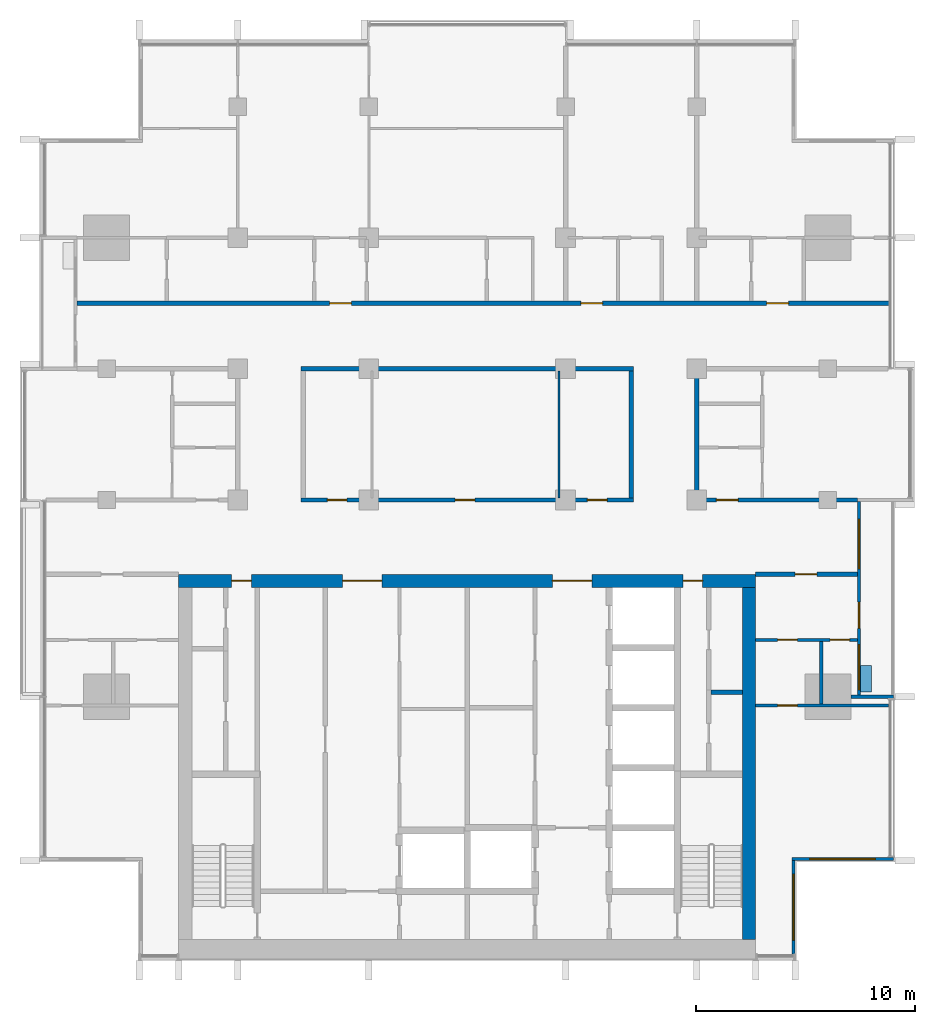
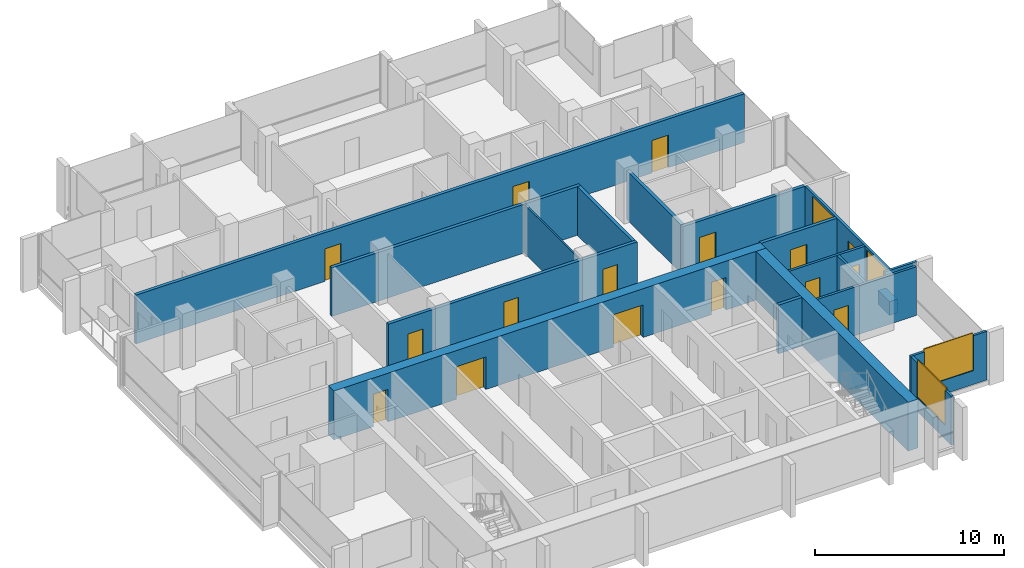
# One storey, part 9 of 16: 19 walls, 16 doors, 4 windows, 20 openings.
"""IFC4 building model written with IfcOpenShell, lengths in metres."""

from ifc_helpers import new_model, si_unit, direction, frame, frame_2d, origin, place, context, subcontext, project, spatial, rectangle, extrude, material, layer, layer_set, type_object, element, fill, save


model = new_model("IFC4")

# Units and contexts
model_context = context("Model", 3, precision=1e-05, world=origin(), true_north=direction((0.0, 1.0)))
body_context = subcontext(model_context, "Body", "Model", "MODEL_VIEW")
ifc_project = project(units=[si_unit("LENGTHUNIT", "METRE"), si_unit("AREAUNIT", "SQUARE_METRE"), si_unit("VOLUMEUNIT", "CUBIC_METRE"), si_unit("PLANEANGLEUNIT", "RADIAN"), si_unit("MASSUNIT", "GRAM", prefix="KILO")], contexts=[model_context])

# Site, building, storey
site_placement = place(None, origin())
site = spatial("IfcSite", under=ifc_project, at=site_placement, CompositionType="ELEMENT")
building_placement = place(site_placement, origin())
building = spatial("IfcBuilding", under=site, at=building_placement, Name="Finial Court Residences", CompositionType="ELEMENT")
storey_placement = place(building_placement, frame((0.0, 0.0, 244.699951171875)))
storey = spatial("IfcBuildingStorey", under=building, at=storey_placement, Name="L62", CompositionType="ELEMENT", Elevation=244.699951171875)

# Wall, openings, doors
ifc_material_1 = material(Name="Concrete C60/75", Category="concrete")
ifc_layer_1 = layer(ifc_material_1, 0.60009765625)
ifc_layer_set_1 = layer_set([ifc_layer_1], Name="Core outer wall 600 Concrete C60/75")
wall_type_1 = type_object("IfcWallType", Name="Core outer wall 600 Concrete C60/75", PredefinedType="SHEAR", material=ifc_layer_set_1)
wall_1_placement = place(storey_placement, frame((-13.199951171875, -8.199951171875, 0.0), z_axis=(0.0, 0.0, 1.0), x_axis=(1.0, 0.0, 0.0)))
wall_1 = element("IfcWall", 1, at=wall_1_placement, inside=storey, type_object=wall_type_1, Name="Core outer wall L62-02", PredefinedType="SHEAR", context=body_context, shape_type="SweptSolid", body=[
    extrude(rectangle(XDim=26.39990234375, YDim=0.60009765625, at=frame_2d((13.199951171875, 0.0))), origin(), (0.0, 0.0, 1.0), 3.150146484375),
])
opening_1_placement = place(wall_1_placement, frame((7.5, 0.0, 0.0)))
opening_1 = element("IfcOpeningElement", 2, at=opening_1_placement, cuts=wall_1, Name="Opening L62-C04", PredefinedType="OPENING", context=body_context, shape_type="SweptSolid", body=[
    extrude(rectangle(XDim=1.800048828125, YDim=2.10009765625, at=frame_2d((0.89990234375, 1.050048828125))), frame((0.0, 0.31005859375, 0.0), z_axis=(0.0, -1.0, 0.0), x_axis=(1.0, 0.0, 0.0)), (0.0, 0.0, 1.0), 0.6201171875),
])
opening_2_placement = place(wall_1_placement, frame((17.10009765625, 0.0, 0.0)))
opening_2 = element("IfcOpeningElement", 3, at=opening_2_placement, cuts=wall_1, Name="Opening L62-C05", PredefinedType="OPENING", context=body_context, shape_type="SweptSolid", body=[
    extrude(rectangle(XDim=1.800048828125, YDim=2.10009765625, at=frame_2d((0.89990234375, 1.050048828125))), frame((0.0, 0.31005859375, 0.0), z_axis=(0.0, -1.0, 0.0), x_axis=(1.0, 0.0, 0.0)), (0.0, 0.0, 1.0), 0.6201171875),
])
opening_3_placement = place(wall_1_placement, frame((2.425048828125, 0.0, 0.0)))
opening_3 = element("IfcOpeningElement", 4, at=opening_3_placement, cuts=wall_1, Name="Opening L62-C12", PredefinedType="OPENING", context=body_context, shape_type="SweptSolid", body=[
    extrude(rectangle(XDim=0.89990234375, YDim=2.10009765625, at=frame_2d((0.449951171875, 1.050048828125))), frame((0.0, 0.31005859375, 0.0), z_axis=(0.0, -1.0, 0.0), x_axis=(1.0, 0.0, 0.0)), (0.0, 0.0, 1.0), 0.6201171875),
])
opening_4_placement = place(wall_1_placement, frame((23.074951171875, 0.0, 0.0)))
opening_4 = element("IfcOpeningElement", 5, at=opening_4_placement, cuts=wall_1, Name="Opening L62-C13", PredefinedType="OPENING", context=body_context, shape_type="SweptSolid", body=[
    extrude(rectangle(XDim=0.89990234375, YDim=2.10009765625, at=frame_2d((0.449951171875, 1.050048828125))), frame((0.0, 0.31005859375, 0.0), z_axis=(0.0, -1.0, 0.0), x_axis=(1.0, 0.0, 0.0)), (0.0, 0.0, 1.0), 0.6201171875),
])
ifc_material_2 = material(Name="Steel fire door", Category="steel")
door_type_1 = type_object("IfcDoorType", Name="Lift lobby door 1800 x 2100 EI 60", OperationType="DOUBLE_DOOR_SINGLE_SWING", PredefinedType="DOOR", material=ifc_material_2)
door_1_placement = place(opening_1_placement, origin())
door_1 = element("IfcDoor", 6, at=door_1_placement, inside=storey, type_object=door_type_1, Name="Lift lobby door L62-C04", OperationType="DOUBLE_DOOR_SINGLE_SWING", OverallHeight=2.10009765625, OverallWidth=1.800048828125, PredefinedType="DOOR", context=body_context, shape_type="SweptSolid", body=[
    extrude(rectangle(XDim=1.800048828125, YDim=2.10009765625, at=frame_2d((0.89990234375, 1.050048828125))), frame((0.0, 0.02490234375, 0.0), z_axis=(0.0, -1.0, 0.0), x_axis=(1.0, 0.0, 0.0)), (0.0, 0.0, 1.0), 0.050048828125),
])
fill(opening_1, door_1)
door_2_placement = place(opening_2_placement, origin())
door_2 = element("IfcDoor", 7, at=door_2_placement, inside=storey, type_object=door_type_1, Name="Lift lobby door L62-C05", OperationType="DOUBLE_DOOR_SINGLE_SWING", OverallHeight=2.10009765625, OverallWidth=1.800048828125, PredefinedType="DOOR", context=body_context, shape_type="SweptSolid", body=[
    extrude(rectangle(XDim=1.800048828125, YDim=2.10009765625, at=frame_2d((0.89990234375, 1.050048828125))), frame((0.0, 0.02490234375, 0.0), z_axis=(0.0, -1.0, 0.0), x_axis=(1.0, 0.0, 0.0)), (0.0, 0.0, 1.0), 0.050048828125),
])
fill(opening_2, door_2)
door_type_2 = type_object("IfcDoorType", Name="Riser room door 900 x 2100 EI 90", OperationType="NOTDEFINED", PredefinedType="DOOR", material=ifc_material_2)
door_3_placement = place(opening_3_placement, origin())
door_3 = element("IfcDoor", 8, at=door_3_placement, inside=storey, type_object=door_type_2, Name="Riser room door L62-C12", OperationType="SINGLE_SWING_RIGHT", OverallHeight=2.10009765625, OverallWidth=0.89990234375, PredefinedType="DOOR", context=body_context, shape_type="SweptSolid", body=[
    extrude(rectangle(XDim=0.89990234375, YDim=2.10009765625, at=frame_2d((0.449951171875, 1.050048828125))), frame((0.0, 0.02490234375, 0.0), z_axis=(0.0, -1.0, 0.0), x_axis=(1.0, 0.0, 0.0)), (0.0, 0.0, 1.0), 0.050048828125),
])
fill(opening_3, door_3)
door_4_placement = place(opening_4_placement, origin())
door_4 = element("IfcDoor", 9, at=door_4_placement, inside=storey, type_object=door_type_2, Name="Riser room door L62-C13", OperationType="SINGLE_SWING_LEFT", OverallHeight=2.10009765625, OverallWidth=0.89990234375, PredefinedType="DOOR", context=body_context, shape_type="SweptSolid", body=[
    extrude(rectangle(XDim=0.89990234375, YDim=2.10009765625, at=frame_2d((0.449951171875, 1.050048828125))), frame((0.0, 0.02490234375, 0.0), z_axis=(0.0, -1.0, 0.0), x_axis=(1.0, 0.0, 0.0)), (0.0, 0.0, 1.0), 0.050048828125),
])
fill(opening_4, door_4)

# Wall
wall_2_placement = place(storey_placement, frame((12.89990234375, -24.60009765625, 0.0), z_axis=(0.0, 0.0, 1.0), x_axis=(0.0, 1.0, 0.0)))
element("IfcWall", 10, at=wall_2_placement, inside=storey, type_object=wall_type_1, Name="Core outer wall L62-04", PredefinedType="SHEAR", context=body_context, shape_type="SweptSolid", body=[
    extrude(rectangle(XDim=16.10009765625, YDim=0.60009765625, at=frame_2d((8.050048828125, 0.0))), origin(), (0.0, 0.0, 1.0), 3.150146484375),
])

# Wall, opening, door
ifc_material_3 = material(Name="Gypsum board")
ifc_layer_2 = layer(ifc_material_3, 0.02490234375)
ifc_material_4 = material(Name="Acoustic mineral wool in double frame")
ifc_layer_3 = layer(ifc_material_4, 0.14990234375)
ifc_layer_4 = layer(ifc_material_3, 0.02490234375)
ifc_layer_set_2 = layer_set([ifc_layer_2, ifc_layer_3, ifc_layer_4], Name="Corridor wall 200, 1 hour")
wall_type_2 = type_object("IfcWallType", Name="Corridor wall 200, 1 hour", PredefinedType="PARTITIONING", material=ifc_layer_set_2)
wall_3_placement = place(storey_placement, frame((13.199951171875, -7.89990234375, 0.0), z_axis=(0.0, 0.0, 1.0), x_axis=(1.0, 0.0, 0.0)))
wall_3 = element("IfcWall", 11, at=wall_3_placement, inside=storey, type_object=wall_type_2, Name="Partition L62-005", PredefinedType="PARTITIONING", context=body_context, shape_type="SweptSolid", body=[
    extrude(rectangle(XDim=4.650146484375, YDim=0.199951171875, at=frame_2d((2.3251953125, 0.0))), origin(), (0.0, 0.0, 1.0), 3.150146484375),
])
opening_5_placement = place(wall_3_placement, frame((1.800048828125, 0.0, 0.0)))
opening_5 = element("IfcOpeningElement", 12, at=opening_5_placement, cuts=wall_3, Name="Opening L62-D008", PredefinedType="OPENING", context=body_context, shape_type="SweptSolid", body=[
    extrude(rectangle(XDim=1.0, YDim=2.10009765625, at=frame_2d((0.5, 1.050048828125))), frame((0.0, 0.10986328125, 0.0), z_axis=(0.0, -1.0, 0.0), x_axis=(1.0, 0.0, 0.0)), (0.0, 0.0, 1.0), 0.219970703125),
])
ifc_material_5 = material(Name="Timber door leaf in hollow metal frame", Category="wood")
door_type_3 = type_object("IfcDoorType", Name="Fire door set 1000 x 2100, 30 minutes", OperationType="SINGLE_SWING_LEFT", PredefinedType="DOOR", material=ifc_material_5)
door_5_placement = place(opening_5_placement, origin())
door_5 = element("IfcDoor", 13, at=door_5_placement, inside=storey, type_object=door_type_3, Name="Door L62-D008", OperationType="SINGLE_SWING_RIGHT", OverallHeight=2.10009765625, OverallWidth=1.0, PredefinedType="DOOR", context=body_context, shape_type="SweptSolid", body=[
    extrude(rectangle(XDim=1.0, YDim=2.10009765625, at=frame_2d((0.5, 1.050048828125))), frame((0.0, 0.02490234375, 0.0), z_axis=(0.0, -1.0, 0.0), x_axis=(1.0, 0.0, 0.0)), (0.0, 0.0, 1.0), 0.050048828125),
])
fill(opening_5, door_5)

# Wall, openings, doors
wall_4_placement = place(storey_placement, frame((-7.60009765625, -4.5, 0.0), z_axis=(0.0, 0.0, 1.0), x_axis=(1.0, 0.0, 0.0)))
wall_4 = element("IfcWall", 14, at=wall_4_placement, inside=storey, type_object=wall_type_2, Name="Partition L62-007", PredefinedType="PARTITIONING", context=body_context, shape_type="SweptSolid", body=[
    extrude(rectangle(XDim=15.2001953125, YDim=0.199951171875, at=frame_2d((7.60009765625, 0.0))), origin(), (0.0, 0.0, 1.0), 3.150146484375),
])
opening_6_placement = place(wall_4_placement, frame((1.199951171875, 0.0, 0.0)))
opening_6 = element("IfcOpeningElement", 15, at=opening_6_placement, cuts=wall_4, Name="Opening L62-D010", PredefinedType="OPENING", context=body_context, shape_type="SweptSolid", body=[
    extrude(rectangle(XDim=0.89990234375, YDim=2.10009765625, at=frame_2d((0.449951171875, 1.050048828125))), frame((0.0, 0.10986328125, 0.0), z_axis=(0.0, -1.0, 0.0), x_axis=(1.0, 0.0, 0.0)), (0.0, 0.0, 1.0), 0.219970703125),
])
opening_7_placement = place(wall_4_placement, frame((7.050048828125, 0.0, 0.0)))
opening_7 = element("IfcOpeningElement", 16, at=opening_7_placement, cuts=wall_4, Name="Opening L62-D011", PredefinedType="OPENING", context=body_context, shape_type="SweptSolid", body=[
    extrude(rectangle(XDim=0.89990234375, YDim=2.10009765625, at=frame_2d((0.449951171875, 1.050048828125))), frame((0.0, 0.10986328125, 0.0), z_axis=(0.0, -1.0, 0.0), x_axis=(1.0, 0.0, 0.0)), (0.0, 0.0, 1.0), 0.219970703125),
])
opening_8_placement = place(wall_4_placement, frame((13.10009765625, 0.0, 0.0)))
opening_8 = element("IfcOpeningElement", 17, at=opening_8_placement, cuts=wall_4, Name="Opening L62-D012", PredefinedType="OPENING", context=body_context, shape_type="SweptSolid", body=[
    extrude(rectangle(XDim=0.89990234375, YDim=2.10009765625, at=frame_2d((0.449951171875, 1.050048828125))), frame((0.0, 0.10986328125, 0.0), z_axis=(0.0, -1.0, 0.0), x_axis=(1.0, 0.0, 0.0)), (0.0, 0.0, 1.0), 0.219970703125),
])
door_type_4 = type_object("IfcDoorType", Name="Fire door set 900 x 2100, 30 minutes", OperationType="SINGLE_SWING_LEFT", PredefinedType="DOOR", material=ifc_material_5)
door_6_placement = place(opening_6_placement, origin())
door_6 = element("IfcDoor", 18, at=door_6_placement, inside=storey, type_object=door_type_4, Name="Door L62-D010", OperationType="SINGLE_SWING_RIGHT", OverallHeight=2.10009765625, OverallWidth=0.89990234375, PredefinedType="DOOR", context=body_context, shape_type="SweptSolid", body=[
    extrude(rectangle(XDim=0.89990234375, YDim=2.10009765625, at=frame_2d((0.449951171875, 1.050048828125))), frame((0.0, 0.02490234375, 0.0), z_axis=(0.0, -1.0, 0.0), x_axis=(1.0, 0.0, 0.0)), (0.0, 0.0, 1.0), 0.050048828125),
])
fill(opening_6, door_6)
door_7_placement = place(opening_7_placement, origin())
door_7 = element("IfcDoor", 19, at=door_7_placement, inside=storey, type_object=door_type_4, Name="Door L62-D011", OperationType="SINGLE_SWING_RIGHT", OverallHeight=2.10009765625, OverallWidth=0.89990234375, PredefinedType="DOOR", context=body_context, shape_type="SweptSolid", body=[
    extrude(rectangle(XDim=0.89990234375, YDim=2.10009765625, at=frame_2d((0.449951171875, 1.050048828125))), frame((0.0, 0.02490234375, 0.0), z_axis=(0.0, -1.0, 0.0), x_axis=(1.0, 0.0, 0.0)), (0.0, 0.0, 1.0), 0.050048828125),
])
fill(opening_7, door_7)
door_8_placement = place(opening_8_placement, origin())
door_8 = element("IfcDoor", 20, at=door_8_placement, inside=storey, type_object=door_type_4, Name="Door L62-D012", OperationType="SINGLE_SWING_LEFT", OverallHeight=2.10009765625, OverallWidth=0.89990234375, PredefinedType="DOOR", context=body_context, shape_type="SweptSolid", body=[
    extrude(rectangle(XDim=0.89990234375, YDim=2.10009765625, at=frame_2d((0.449951171875, 1.050048828125))), frame((0.0, 0.02490234375, 0.0), z_axis=(0.0, -1.0, 0.0), x_axis=(1.0, 0.0, 0.0)), (0.0, 0.0, 1.0), 0.050048828125),
])
fill(opening_8, door_8)

# Wall, opening, door
wall_5_placement = place(storey_placement, frame((10.39990234375, -4.5, 0.0), z_axis=(0.0, 0.0, 1.0), x_axis=(1.0, 0.0, 0.0)))
wall_5 = element("IfcWall", 21, at=wall_5_placement, inside=storey, type_object=wall_type_2, Name="Partition L62-008", PredefinedType="PARTITIONING", context=body_context, shape_type="SweptSolid", body=[
    extrude(rectangle(XDim=7.4501953125, YDim=0.199951171875, at=frame_2d((3.72509765625, 0.0))), origin(), (0.0, 0.0, 1.0), 3.150146484375),
])
opening_9_placement = place(wall_5_placement, frame((1.0, 0.0, 0.0)))
opening_9 = element("IfcOpeningElement", 22, at=opening_9_placement, cuts=wall_5, Name="Opening L62-D013", PredefinedType="OPENING", context=body_context, shape_type="SweptSolid", body=[
    extrude(rectangle(XDim=1.0, YDim=2.10009765625, at=frame_2d((0.5, 1.050048828125))), frame((0.0, 0.10986328125, 0.0), z_axis=(0.0, -1.0, 0.0), x_axis=(1.0, 0.0, 0.0)), (0.0, 0.0, 1.0), 0.219970703125),
])
door_9_placement = place(opening_9_placement, origin())
door_9 = element("IfcDoor", 23, at=door_9_placement, inside=storey, type_object=door_type_3, Name="Door L62-D013", OperationType="SINGLE_SWING_RIGHT", OverallHeight=2.10009765625, OverallWidth=1.0, PredefinedType="DOOR", context=body_context, shape_type="SweptSolid", body=[
    extrude(rectangle(XDim=1.0, YDim=2.10009765625, at=frame_2d((0.5, 1.050048828125))), frame((0.0, 0.02490234375, 0.0), z_axis=(0.0, -1.0, 0.0), x_axis=(1.0, 0.0, 0.0)), (0.0, 0.0, 1.0), 0.050048828125),
])
fill(opening_9, door_9)

# Wall
wall_6_placement = place(storey_placement, frame((-7.60009765625, 1.5, 0.0), z_axis=(0.0, 0.0, 1.0), x_axis=(1.0, 0.0, 0.0)))
element("IfcWall", 24, at=wall_6_placement, inside=storey, type_object=wall_type_2, Name="Partition L62-014", PredefinedType="PARTITIONING", context=body_context, shape_type="SweptSolid", body=[
    extrude(rectangle(XDim=15.2001953125, YDim=0.199951171875, at=frame_2d((7.60009765625, 0.0))), origin(), (0.0, 0.0, 1.0), 3.150146484375),
])

# Wall, openings, doors
wall_7_placement = place(storey_placement, frame((-17.85009765625, 4.5, 0.0), z_axis=(0.0, 0.0, 1.0), x_axis=(1.0, 0.0, 0.0)))
wall_7 = element("IfcWall", 25, at=wall_7_placement, inside=storey, type_object=wall_type_2, Name="Partition L62-016", PredefinedType="PARTITIONING", context=body_context, shape_type="SweptSolid", body=[
    extrude(rectangle(XDim=37.2001953125, YDim=0.199951171875, at=frame_2d((18.60009765625, 0.0))), origin(), (0.0, 0.0, 1.0), 3.150146484375),
])
opening_10_placement = place(wall_7_placement, frame((11.550048828125, 0.0, 0.0)))
opening_10 = element("IfcOpeningElement", 26, at=opening_10_placement, cuts=wall_7, Name="Opening L62-D016", PredefinedType="OPENING", context=body_context, shape_type="SweptSolid", body=[
    extrude(rectangle(XDim=1.0, YDim=2.10009765625, at=frame_2d((0.5, 1.050048828125))), frame((0.0, 0.10986328125, 0.0), z_axis=(0.0, -1.0, 0.0), x_axis=(1.0, 0.0, 0.0)), (0.0, 0.0, 1.0), 0.219970703125),
])
opening_11_placement = place(wall_7_placement, frame((23.050048828125, 0.0, 0.0)))
opening_11 = element("IfcOpeningElement", 27, at=opening_11_placement, cuts=wall_7, Name="Opening L62-D017", PredefinedType="OPENING", context=body_context, shape_type="SweptSolid", body=[
    extrude(rectangle(XDim=1.0, YDim=2.10009765625, at=frame_2d((0.5, 1.050048828125))), frame((0.0, 0.10986328125, 0.0), z_axis=(0.0, -1.0, 0.0), x_axis=(1.0, 0.0, 0.0)), (0.0, 0.0, 1.0), 0.219970703125),
])
opening_12_placement = place(wall_7_placement, frame((31.550048828125, 0.0, 0.0)))
opening_12 = element("IfcOpeningElement", 28, at=opening_12_placement, cuts=wall_7, Name="Opening L62-D018", PredefinedType="OPENING", context=body_context, shape_type="SweptSolid", body=[
    extrude(rectangle(XDim=1.0, YDim=2.10009765625, at=frame_2d((0.5, 1.050048828125))), frame((0.0, 0.10986328125, 0.0), z_axis=(0.0, -1.0, 0.0), x_axis=(1.0, 0.0, 0.0)), (0.0, 0.0, 1.0), 0.219970703125),
])
door_10_placement = place(opening_10_placement, origin())
door_10 = element("IfcDoor", 29, at=door_10_placement, inside=storey, type_object=door_type_3, Name="Door L62-D016", OperationType="SINGLE_SWING_RIGHT", OverallHeight=2.10009765625, OverallWidth=1.0, PredefinedType="DOOR", context=body_context, shape_type="SweptSolid", body=[
    extrude(rectangle(XDim=1.0, YDim=2.10009765625, at=frame_2d((0.5, 1.050048828125))), frame((0.0, 0.02490234375, 0.0), z_axis=(0.0, -1.0, 0.0), x_axis=(1.0, 0.0, 0.0)), (0.0, 0.0, 1.0), 0.050048828125),
])
fill(opening_10, door_10)
door_11_placement = place(opening_11_placement, origin())
door_11 = element("IfcDoor", 30, at=door_11_placement, inside=storey, type_object=door_type_3, Name="Door L62-D017", OperationType="SINGLE_SWING_LEFT", OverallHeight=2.10009765625, OverallWidth=1.0, PredefinedType="DOOR", context=body_context, shape_type="SweptSolid", body=[
    extrude(rectangle(XDim=1.0, YDim=2.10009765625, at=frame_2d((0.5, 1.050048828125))), frame((0.0, 0.02490234375, 0.0), z_axis=(0.0, -1.0, 0.0), x_axis=(1.0, 0.0, 0.0)), (0.0, 0.0, 1.0), 0.050048828125),
])
fill(opening_11, door_11)
door_12_placement = place(opening_12_placement, origin())
door_12 = element("IfcDoor", 31, at=door_12_placement, inside=storey, type_object=door_type_3, Name="Door L62-D018", OperationType="SINGLE_SWING_LEFT", OverallHeight=2.10009765625, OverallWidth=1.0, PredefinedType="DOOR", context=body_context, shape_type="SweptSolid", body=[
    extrude(rectangle(XDim=1.0, YDim=2.10009765625, at=frame_2d((0.5, 1.050048828125))), frame((0.0, 0.02490234375, 0.0), z_axis=(0.0, -1.0, 0.0), x_axis=(1.0, 0.0, 0.0)), (0.0, 0.0, 1.0), 0.050048828125),
])
fill(opening_12, door_12)

# Walls
for number, where, z_axis, x_axis, name in (
    (32, (7.5, -4.39990234375, 0.0), (0.0, 0.0, 1.0), (0.0, 1.0, 0.0), "Partition L62-045"),
    (33, (10.5, -4.39990234375, 0.0), (0.0, 0.0, 1.0), (0.0, 1.0, 0.0), "Partition L62-047"),
):
    element("IfcWall", number, at=place(storey_placement, frame(where, z_axis=z_axis, x_axis=x_axis)), inside=storey, type_object=wall_type_2, Name=name, PredefinedType="PARTITIONING", context=body_context, shape_type="SweptSolid", body=[
        extrude(rectangle(XDim=5.7998046875, YDim=0.199951171875, at=frame_2d((2.89990234375, 0.0))), origin(), (0.0, 0.0, 1.0), 3.150146484375),
    ])
ifc_layer_5 = layer(ifc_material_3, 0.012451171875)
ifc_material_6 = material(Name="Mineral wool in light-gauge frame")
ifc_layer_6 = layer(ifc_material_6, 0.074951171875)
ifc_layer_7 = layer(ifc_material_3, 0.012451171875)
ifc_layer_set_3 = layer_set([ifc_layer_5, ifc_layer_6, ifc_layer_7], Name="Gypsum board partition 100")
wall_type_3 = type_object("IfcWallType", Name="Gypsum board partition 100", PredefinedType="PARTITIONING", material=ifc_layer_set_3)
wall_8_placement = place(storey_placement, frame((4.199951171875, -4.39990234375, 0.0), z_axis=(0.0, 0.0, 1.0), x_axis=(0.0, 1.0, 0.0)))
element("IfcWall", 34, at=wall_8_placement, inside=storey, type_object=wall_type_3, Name="Partition L62-042", PredefinedType="PARTITIONING", context=body_context, shape_type="SweptSolid", body=[
    extrude(rectangle(XDim=5.7998046875, YDim=0.10009765625, at=frame_2d((2.89990234375, 0.0))), origin(), (0.0, 0.0, 1.0), 3.150146484375),
])

# Wall, opening, door
ifc_material_7 = material(Name="Moisture-resistant gypsum board")
ifc_layer_8 = layer(ifc_material_7, 0.012451171875)
ifc_layer_9 = layer(ifc_material_6, 0.125)
ifc_layer_10 = layer(ifc_material_7, 0.012451171875)
ifc_layer_set_4 = layer_set([ifc_layer_8, ifc_layer_9, ifc_layer_10], Name="Gypsum board wet-area partition 150")
wall_type_4 = type_object("IfcWallType", Name="Gypsum board wet-area partition 150", PredefinedType="PARTITIONING", material=ifc_layer_set_4)
wall_9_placement = place(storey_placement, frame((13.199951171875, -13.89990234375, 0.0), z_axis=(0.0, 0.0, 1.0), x_axis=(1.0, 0.0, 0.0)))
wall_9 = element("IfcWall", 35, at=wall_9_placement, inside=storey, type_object=wall_type_4, Name="Partition L62-001", PredefinedType="PARTITIONING", context=body_context, shape_type="SweptSolid", body=[
    extrude(rectangle(XDim=6.0625, YDim=0.14990234375, at=frame_2d((3.03125, 0.0))), origin(), (0.0, 0.0, 1.0), 3.150146484375),
])
opening_13_placement = place(wall_9_placement, frame((1.0, 0.0, 0.0)))
opening_13 = element("IfcOpeningElement", 36, at=opening_13_placement, cuts=wall_9, Name="Opening L62-D002", PredefinedType="OPENING", context=body_context, shape_type="SweptSolid", body=[
    extrude(rectangle(XDim=0.89990234375, YDim=2.10009765625, at=frame_2d((0.449951171875, 1.050048828125))), frame((0.0, 0.0849609375, 0.0), z_axis=(0.0, -1.0, 0.0), x_axis=(1.0, 0.0, 0.0)), (0.0, 0.0, 1.0), 0.169921875),
])
ifc_material_8 = material(Name="Timber door leaf in timber frame", Category="wood")
door_type_5 = type_object("IfcDoorType", Name="Door set 900 x 2100", OperationType="SINGLE_SWING_LEFT", PredefinedType="DOOR", material=ifc_material_8)
door_13_placement = place(opening_13_placement, origin())
door_13 = element("IfcDoor", 37, at=door_13_placement, inside=storey, type_object=door_type_5, Name="Door L62-D002", OperationType="SINGLE_SWING_LEFT", OverallHeight=2.10009765625, OverallWidth=0.89990234375, PredefinedType="DOOR", context=body_context, shape_type="SweptSolid", body=[
    extrude(rectangle(XDim=0.89990234375, YDim=2.10009765625, at=frame_2d((0.449951171875, 1.050048828125))), frame((0.0, 0.02490234375, 0.0), z_axis=(0.0, -1.0, 0.0), x_axis=(1.0, 0.0, 0.0)), (0.0, 0.0, 1.0), 0.050048828125),
])
fill(opening_13, door_13)

# Wall, openings, doors
wall_10_placement = place(storey_placement, frame((13.199951171875, -10.89990234375, 0.0), z_axis=(0.0, 0.0, 1.0), x_axis=(1.0, 0.0, 0.0)))
wall_10 = element("IfcWall", 38, at=wall_10_placement, inside=storey, type_object=wall_type_4, Name="Partition L62-003", PredefinedType="PARTITIONING", context=body_context, shape_type="SweptSolid", body=[
    extrude(rectangle(XDim=4.650146484375, YDim=0.14990234375, at=frame_2d((2.3251953125, 0.0))), origin(), (0.0, 0.0, 1.0), 3.150146484375),
])
opening_14_placement = place(wall_10_placement, frame((1.0, 0.0, 0.0)))
opening_14 = element("IfcOpeningElement", 39, at=opening_14_placement, cuts=wall_10, Name="Opening L62-D005", PredefinedType="OPENING", context=body_context, shape_type="SweptSolid", body=[
    extrude(rectangle(XDim=0.89990234375, YDim=2.10009765625, at=frame_2d((0.449951171875, 1.050048828125))), frame((0.0, 0.0849609375, 0.0), z_axis=(0.0, -1.0, 0.0), x_axis=(1.0, 0.0, 0.0)), (0.0, 0.0, 1.0), 0.169921875),
])
opening_15_placement = place(wall_10_placement, frame((3.39990234375, 0.0, 0.0)))
opening_15 = element("IfcOpeningElement", 40, at=opening_15_placement, cuts=wall_10, Name="Opening L62-D006", PredefinedType="OPENING", context=body_context, shape_type="SweptSolid", body=[
    extrude(rectangle(XDim=0.89990234375, YDim=2.10009765625, at=frame_2d((0.449951171875, 1.050048828125))), frame((0.0, 0.0849609375, 0.0), z_axis=(0.0, -1.0, 0.0), x_axis=(1.0, 0.0, 0.0)), (0.0, 0.0, 1.0), 0.169921875),
])
door_14_placement = place(opening_14_placement, origin())
door_14 = element("IfcDoor", 41, at=door_14_placement, inside=storey, type_object=door_type_5, Name="Door L62-D005", OperationType="SINGLE_SWING_LEFT", OverallHeight=2.10009765625, OverallWidth=0.89990234375, PredefinedType="DOOR", context=body_context, shape_type="SweptSolid", body=[
    extrude(rectangle(XDim=0.89990234375, YDim=2.10009765625, at=frame_2d((0.449951171875, 1.050048828125))), frame((0.0, 0.02490234375, 0.0), z_axis=(0.0, -1.0, 0.0), x_axis=(1.0, 0.0, 0.0)), (0.0, 0.0, 1.0), 0.050048828125),
])
fill(opening_14, door_14)
door_15_placement = place(opening_15_placement, origin())
door_15 = element("IfcDoor", 42, at=door_15_placement, inside=storey, type_object=door_type_5, Name="Door L62-D006", OperationType="SINGLE_SWING_RIGHT", OverallHeight=2.10009765625, OverallWidth=0.89990234375, PredefinedType="DOOR", context=body_context, shape_type="SweptSolid", body=[
    extrude(rectangle(XDim=0.89990234375, YDim=2.10009765625, at=frame_2d((0.449951171875, 1.050048828125))), frame((0.0, 0.02490234375, 0.0), z_axis=(0.0, -1.0, 0.0), x_axis=(1.0, 0.0, 0.0)), (0.0, 0.0, 1.0), 0.050048828125),
])
fill(opening_15, door_15)

# Wall
wall_11_placement = place(storey_placement, frame((16.199951171875, -13.824951171875, 0.0), z_axis=(0.0, 0.0, 1.0), x_axis=(0.0, 1.0, 0.0)))
element("IfcWall", 43, at=wall_11_placement, inside=storey, type_object=wall_type_4, Name="Partition L62-053", PredefinedType="PARTITIONING", context=body_context, shape_type="SweptSolid", body=[
    extrude(rectangle(XDim=2.849853515625, YDim=0.14990234375, at=frame_2d((1.4248046875, 0.0))), origin(), (0.0, 0.0, 1.0), 3.150146484375),
])

# Wall, opening, window
ifc_material_9 = material(Name="Natural limestone", Category="masonry")
ifc_layer_11 = layer(ifc_material_9, 0.14990234375)
ifc_layer_set_5 = layer_set([ifc_layer_11], Name="Limestone clad wall 150")
wall_type_5 = type_object("IfcWallType", Name="Limestone clad wall 150", PredefinedType="SOLIDWALL", material=ifc_layer_set_5)
wall_12_placement = place(storey_placement, frame((14.925048828125, -21.0, 0.0), z_axis=(0.0, 0.0, 1.0), x_axis=(0.0, -1.0, 0.0)))
wall_12 = element("IfcWall", 44, at=wall_12_placement, inside=storey, type_object=wall_type_5, Name="E-L62-NWE14", PredefinedType="SOLIDWALL", context=body_context, shape_type="SweptSolid", body=[
    extrude(rectangle(XDim=4.262451171875, YDim=0.14990234375, at=frame_2d((2.13134765625, 0.0))), origin(), (0.0, 0.0, 1.0), 3.150146484375),
])
opening_16_placement = place(wall_12_placement, frame((0.63134765625, 0.0, 0.89990234375)))
opening_16 = element("IfcOpeningElement", 45, at=opening_16_placement, cuts=wall_12, Name="Opening WE62-03", PredefinedType="OPENING", context=body_context, shape_type="SweptSolid", body=[
    extrude(rectangle(XDim=3.0, YDim=2.39990234375, at=frame_2d((1.5, 1.199951171875))), frame((0.0, 0.0849609375, 0.0), z_axis=(0.0, -1.0, 0.0), x_axis=(1.0, 0.0, 0.0)), (0.0, 0.0, 1.0), 0.169921875),
])
ifc_material_10 = material(Name="Clear low-e glass", Category="glass")
window_type_1 = type_object("IfcWindowType", Name="Corner window 3000 x 2400", PartitioningType="SINGLE_PANEL", PredefinedType="WINDOW", material=ifc_material_10)
window_1_placement = place(opening_16_placement, origin())
window_1 = element("IfcWindow", 46, at=window_1_placement, inside=storey, type_object=window_type_1, Name="E-L62-NWE14-W1", OverallHeight=2.39990234375, OverallWidth=3.0, PartitioningType="SINGLE_PANEL", PredefinedType="WINDOW", context=body_context, shape_type="SweptSolid", body=[
    extrude(rectangle(XDim=3.0, YDim=2.39990234375, at=frame_2d((1.5, 1.199951171875))), frame((0.0, 0.030029296875, 0.0), z_axis=(0.0, -1.0, 0.0), x_axis=(1.0, 0.0, 0.0)), (0.0, 0.0, 1.0), 0.06005859375),
])
fill(opening_16, window_1)

wall_13_placement = place(storey_placement, frame((19.5, -20.925048828125, 0.0), z_axis=(0.0, 0.0, 1.0), x_axis=(-1.0, 0.0, 0.0)))
wall_13 = element("IfcWall", 47, at=wall_13_placement, inside=storey, type_object=wall_type_5, Name="E-L62-NWS15", PredefinedType="SOLIDWALL", context=body_context, shape_type="SweptSolid", body=[
    extrude(rectangle(XDim=4.64990234375, YDim=0.14990234375, at=frame_2d((2.324951171875, 0.0))), origin(), (0.0, 0.0, 1.0), 3.150146484375),
])
opening_17_placement = place(wall_13_placement, frame((0.824951171875, 0.0, 0.89990234375)))
opening_17 = element("IfcOpeningElement", 48, at=opening_17_placement, cuts=wall_13, Name="Opening WE62-04", PredefinedType="OPENING", context=body_context, shape_type="SweptSolid", body=[
    extrude(rectangle(XDim=3.0, YDim=2.39990234375, at=frame_2d((1.5, 1.199951171875))), frame((0.0, 0.0849609375, 0.0), z_axis=(0.0, -1.0, 0.0), x_axis=(1.0, 0.0, 0.0)), (0.0, 0.0, 1.0), 0.169921875),
])
window_2_placement = place(opening_17_placement, origin())
window_2 = element("IfcWindow", 49, at=window_2_placement, inside=storey, type_object=window_type_1, Name="E-L62-NWS15-W1", OverallHeight=2.39990234375, OverallWidth=3.0, PartitioningType="SINGLE_PANEL", PredefinedType="WINDOW", context=body_context, shape_type="SweptSolid", body=[
    extrude(rectangle(XDim=3.0, YDim=2.39990234375, at=frame_2d((1.5, 1.199951171875))), frame((0.0, 0.030029296875, 0.0), z_axis=(0.0, -1.0, 0.0), x_axis=(1.0, 0.0, 0.0)), (0.0, 0.0, 1.0), 0.06005859375),
])
fill(opening_17, window_2)

# Wall
wall_14_placement = place(storey_placement, frame((17.550048828125, -13.5, 0.0), z_axis=(0.0, 0.0, 1.0), x_axis=(1.0, 0.0, 0.0)))
element("IfcWall", 50, at=wall_14_placement, inside=storey, type_object=wall_type_5, Name="E-L62-BALE2-P1", PredefinedType="SOLIDWALL", context=body_context, shape_type="SweptSolid", body=[
    extrude(rectangle(XDim=1.949951171875, YDim=0.14990234375, at=frame_2d((0.97509765625, 0.0))), origin(), (0.0, 0.0, 1.0), 3.150146484375),
])

# Wall, openings, door, windows
wall_15_placement = place(storey_placement, frame((17.925048828125, -4.574951171875, 0.0), z_axis=(0.0, 0.0, 1.0), x_axis=(0.0, -1.0, 0.0)))
wall_15 = element("IfcWall", 51, at=wall_15_placement, inside=storey, type_object=wall_type_5, Name="E-L62-L62-BALE2-W", PredefinedType="SOLIDWALL", context=body_context, shape_type="SweptSolid", body=[
    extrude(rectangle(XDim=8.85009765625, YDim=0.14990234375, at=frame_2d((4.425048828125, 0.0))), origin(), (0.0, 0.0, 1.0), 3.150146484375),
])
opening_18_placement = place(wall_15_placement, frame((4.60009765625, 0.0, 0.0)))
opening_18 = element("IfcOpeningElement", 52, at=opening_18_placement, cuts=wall_15, Name="Opening DE62-01", PredefinedType="OPENING", context=body_context, shape_type="SweptSolid", body=[
    extrude(rectangle(XDim=1.199951171875, YDim=2.39990234375, at=frame_2d((0.60009765625, 1.199951171875))), frame((0.0, 0.0849609375, 0.0), z_axis=(0.0, -1.0, 0.0), x_axis=(1.0, 0.0, 0.0)), (0.0, 0.0, 1.0), 0.169921875),
])
opening_19_placement = place(wall_15_placement, frame((6.550048828125, 0.0, 0.89990234375)))
opening_19 = element("IfcOpeningElement", 53, at=opening_19_placement, cuts=wall_15, Name="Opening WE62-09", PredefinedType="OPENING", context=body_context, shape_type="SweptSolid", body=[
    extrude(rectangle(XDim=2.050048828125, YDim=2.10009765625, at=frame_2d((1.02490234375, 1.050048828125))), frame((0.0, 0.0849609375, 0.0), z_axis=(0.0, -1.0, 0.0), x_axis=(1.0, 0.0, 0.0)), (0.0, 0.0, 1.0), 0.169921875),
])
opening_20_placement = place(wall_15_placement, frame((0.800048828125, 0.0, 0.89990234375)))
opening_20 = element("IfcOpeningElement", 54, at=opening_20_placement, cuts=wall_15, Name="Opening WE62-10", PredefinedType="OPENING", context=body_context, shape_type="SweptSolid", body=[
    extrude(rectangle(XDim=2.27490234375, YDim=2.10009765625, at=frame_2d((1.137451171875, 1.050048828125))), frame((0.0, 0.0849609375, 0.0), z_axis=(0.0, -1.0, 0.0), x_axis=(1.0, 0.0, 0.0)), (0.0, 0.0, 1.0), 0.169921875),
])
ifc_material_11 = material(Name="Bronze anodised aluminium", Category="aluminium")
door_type_6 = type_object("IfcDoorType", Name="Balcony door 1200 x 2400", OperationType="SINGLE_SWING_LEFT", PredefinedType="DOOR", material=ifc_material_11)
door_16_placement = place(opening_18_placement, origin())
door_16 = element("IfcDoor", 55, at=door_16_placement, inside=storey, type_object=door_type_6, Name="E-L62-L62-BALE2-W-D", OperationType="SINGLE_SWING_LEFT", OverallHeight=2.39990234375, OverallWidth=1.199951171875, PredefinedType="DOOR", context=body_context, shape_type="SweptSolid", body=[
    extrude(rectangle(XDim=1.199951171875, YDim=2.39990234375, at=frame_2d((0.60009765625, 1.199951171875))), frame((0.0, 0.02490234375, 0.0), z_axis=(0.0, -1.0, 0.0), x_axis=(1.0, 0.0, 0.0)), (0.0, 0.0, 1.0), 0.050048828125),
])
fill(opening_18, door_16)
window_type_2 = type_object("IfcWindowType", Name="Balcony window 2050 x 2100", PartitioningType="SINGLE_PANEL", PredefinedType="WINDOW", material=ifc_material_10)
window_3_placement = place(opening_19_placement, origin())
window_3 = element("IfcWindow", 56, at=window_3_placement, inside=storey, type_object=window_type_2, Name="E-L62-L62-BALE2-W-W1", OverallHeight=2.10009765625, OverallWidth=2.050048828125, PartitioningType="SINGLE_PANEL", PredefinedType="WINDOW", context=body_context, shape_type="SweptSolid", body=[
    extrude(rectangle(XDim=2.050048828125, YDim=2.10009765625, at=frame_2d((1.02490234375, 1.050048828125))), frame((0.0, 0.030029296875, 0.0), z_axis=(0.0, -1.0, 0.0), x_axis=(1.0, 0.0, 0.0)), (0.0, 0.0, 1.0), 0.06005859375),
])
fill(opening_19, window_3)
window_type_3 = type_object("IfcWindowType", Name="Balcony window 2275 x 2100", PartitioningType="SINGLE_PANEL", PredefinedType="WINDOW", material=ifc_material_10)
window_4_placement = place(opening_20_placement, origin())
window_4 = element("IfcWindow", 57, at=window_4_placement, inside=storey, type_object=window_type_3, Name="E-L62-L62-BALE2-W-W2", OverallHeight=2.10009765625, OverallWidth=2.27490234375, PartitioningType="SINGLE_PANEL", PredefinedType="WINDOW", context=body_context, shape_type="SweptSolid", body=[
    extrude(rectangle(XDim=2.27490234375, YDim=2.10009765625, at=frame_2d((1.137451171875, 1.050048828125))), frame((0.0, 0.030029296875, 0.0), z_axis=(0.0, -1.0, 0.0), x_axis=(1.0, 0.0, 0.0)), (0.0, 0.0, 1.0), 0.06005859375),
])
fill(opening_20, window_4)

# Walls
ifc_material_12 = material(Name="Concrete C40/50", Category="concrete")
ifc_layer_12 = layer(ifc_material_12, 0.10009765625)
ifc_material_13 = material(Name="Planting soil", Category="soil")
ifc_layer_13 = layer(ifc_material_13, 0.300048828125)
ifc_layer_14 = layer(ifc_material_12, 0.10009765625)
ifc_layer_set_6 = layer_set([ifc_layer_12, ifc_layer_13, ifc_layer_14], Name="Planter wall, balcony")
wall_type_6 = type_object("IfcWallType", Name="Planter wall, balcony", PredefinedType="USERDEFINED", material=ifc_layer_set_6)
wall_16_placement = place(storey_placement, frame((18.25, -13.27490234375, 0.0), z_axis=(0.0, 0.0, 1.0), x_axis=(0.0, 1.0, 0.0)))
element("IfcWall", 58, at=wall_16_placement, inside=storey, type_object=wall_type_6, Name="E-L62-BALE2-PL", ObjectType="PLANTER", PredefinedType="USERDEFINED", context=body_context, shape_type="SweptSolid", body=[
    extrude(rectangle(XDim=1.199951171875, YDim=0.5, at=frame_2d((0.60009765625, 0.0))), origin(), (0.0, 0.0, 1.0), 0.900146484375),
])
ifc_material_14 = material(Name="Fire-rated gypsum board partition")
ifc_layer_15 = layer(ifc_material_14, 0.199951171875)
ifc_layer_set_7 = layer_set([ifc_layer_15], Name="Riser room wall 200 EI 120")
wall_type_7 = type_object("IfcWallType", Name="Riser room wall 200 EI 120", PredefinedType="PARTITIONING", material=ifc_layer_set_7)
wall_17_placement = place(storey_placement, frame((11.14990234375, -13.300048828125, 0.0), z_axis=(0.0, 0.0, 1.0), x_axis=(1.0, 0.0, 0.0)))
element("IfcWall", 59, at=wall_17_placement, inside=storey, type_object=wall_type_7, Name="Core partition L62-15", PredefinedType="PARTITIONING", context=body_context, shape_type="SweptSolid", body=[
    extrude(rectangle(XDim=1.4501953125, YDim=0.199951171875, at=frame_2d((0.72509765625, 0.0))), origin(), (0.0, 0.0, 1.0), 3.150146484375),
])

save(model, "model.ifc")
